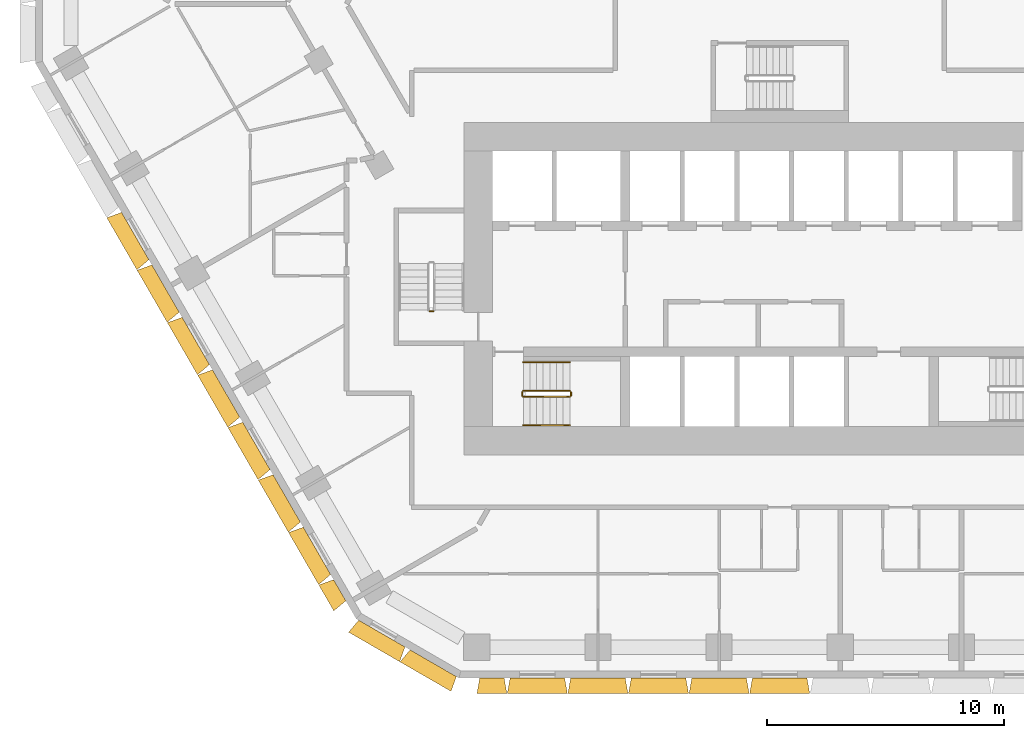
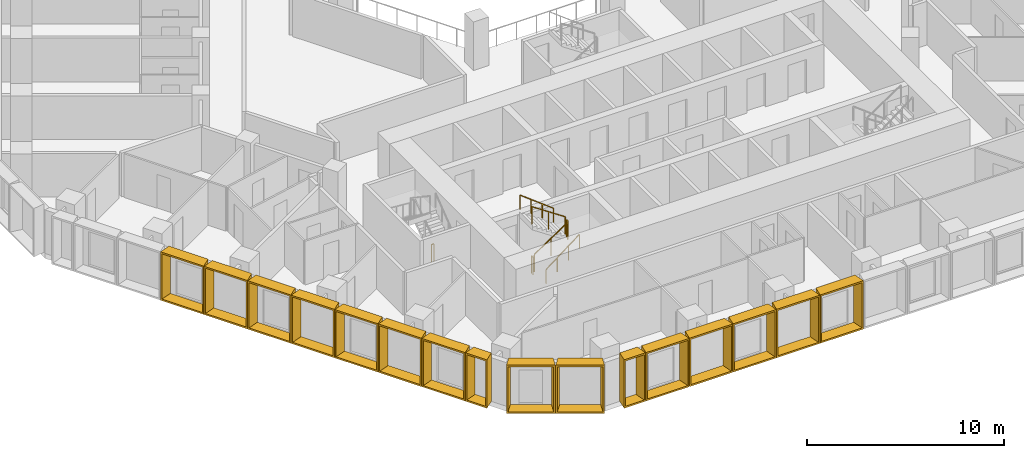
# One storey, part 13 of 16: 16 shading devices, 7 railings.
"""IFC4 building model written with IfcOpenShell, lengths in metres."""

from ifc_helpers import new_model, entity, si_unit, direction, frame, origin, origin_2d, place, context, subcontext, project, spatial, rectangle, extrude, source, transform, mapped, material, type_object, type_shapes, element, save


model = new_model("IFC4")

# Units and contexts
model_context = context("Model", 3, precision=1e-05, world=origin(), true_north=direction((0.0, 1.0)))
body_context = subcontext(model_context, "Body", "Model", "MODEL_VIEW")
ifc_project = project(units=[si_unit("LENGTHUNIT", "METRE"), si_unit("AREAUNIT", "SQUARE_METRE"), si_unit("VOLUMEUNIT", "CUBIC_METRE"), si_unit("PLANEANGLEUNIT", "RADIAN"), si_unit("MASSUNIT", "GRAM", prefix="KILO")], contexts=[model_context])

# Site, building, storey
site_placement = place(None, origin())
site = spatial("IfcSite", under=ifc_project, at=site_placement, CompositionType="ELEMENT")
building_placement = place(site_placement, origin())
building = spatial("IfcBuilding", under=site, at=building_placement, Name="Beryl Residences", CompositionType="ELEMENT")
storey_placement = place(building_placement, frame((0.0, 0.0, 38.39990234375)))
storey = spatial("IfcBuildingStorey", under=building, at=storey_placement, Name="L11", CompositionType="ELEMENT", Elevation=38.39990234375)

# Shading devices
ifc_material_1 = material(Name="Aluminium pale anodised", Category="aluminium")
shading_device_type_1 = type_object("IfcShadingDeviceType", Name="FR128-65A OUTER SKIN frame 650 mm deep, splay 10/10 deg, 1280 x 3000 mm cell", PredefinedType="USERDEFINED", material=ifc_material_1)
cartesian_point_1 = entity("IfcCartesianPoint", [-0.514892578125, 0.0])
cartesian_point_2 = entity("IfcCartesianPoint", [-0.433837890625, 0.10009765625])
cartesian_point_3 = entity("IfcCartesianPoint", [-0.629638671875, 0.0])
cartesian_point_4 = entity("IfcCartesianPoint", [-0.54833984375, 0.10009765625])
shared_shape_1 = source(origin(), body_context, "Body", "SweptSolid", [
    entity("IfcExtrudedAreaSolidTapered", entity("IfcArbitraryProfileDefWithVoids", "AREA", None, entity("IfcPolyline", [cartesian_point_1, entity("IfcCartesianPoint", [0.514892578125, 0.0]), entity("IfcCartesianPoint", [0.514892578125, 3.0]), entity("IfcCartesianPoint", [-0.514892578125, 3.0]), cartesian_point_1]), [entity("IfcPolyline", [cartesian_point_2, entity("IfcCartesianPoint", [0.433837890625, 0.10009765625]), entity("IfcCartesianPoint", [0.433837890625, 2.89990234375]), entity("IfcCartesianPoint", [-0.433837890625, 2.89990234375]), cartesian_point_2])]), entity("IfcAxis2Placement3D", entity("IfcCartesianPoint", [0.0, 0.0, 0.0]), entity("IfcDirection", [0.0, 1.0, 0.0]), entity("IfcDirection", [-1.0, 0.0, 0.0])), entity("IfcDirection", [0.0, 0.0, 1.0]), 0.64990234375, entity("IfcArbitraryProfileDefWithVoids", "AREA", None, entity("IfcPolyline", [cartesian_point_3, entity("IfcCartesianPoint", [0.629638671875, 0.0]), entity("IfcCartesianPoint", [0.629638671875, 3.0]), entity("IfcCartesianPoint", [-0.629638671875, 3.0]), cartesian_point_3]), [entity("IfcPolyline", [cartesian_point_4, entity("IfcCartesianPoint", [0.54833984375, 0.10009765625]), entity("IfcCartesianPoint", [0.54833984375, 2.89990234375]), entity("IfcCartesianPoint", [-0.54833984375, 2.89990234375]), cartesian_point_4])])),
])
type_shapes(shading_device_type_1, [shared_shape_1])
for number, where, z_axis, x_axis, name in (
    (1, (-18.533935546875, -24.698974609375, 0.0), (0.0, 0.0, 1.0), (-0.5, 0.866025403784, 0.0), "FR128-65A frame L11 SW 11"),
    (2, (-12.12109375, -28.39990234375, 0.0), (0.0, 0.0, 1.0), (-1.0, 0.0, 0.0), "FR128-65A frame L11 S 1"),
):
    element("IfcShadingDevice", number, at=place(storey_placement, frame(where, z_axis=z_axis, x_axis=x_axis)), inside=storey, type_object=shading_device_type_1, Name=name, ObjectType="OUTER SKIN", PredefinedType="USERDEFINED", context=body_context, shape_type="MappedRepresentation", body=[
        mapped(shared_shape_1, transform((0.0, 0.0, 0.0))),
    ])
ifc_material_2 = material(Name="Aluminium pale anodised", Category="aluminium")
shading_device_type_2 = type_object("IfcShadingDeviceType", Name="FR250-65A OUTER SKIN frame 650 mm deep, splay 10/10 deg, 2500 x 3000 mm cell", PredefinedType="USERDEFINED", material=ifc_material_2)
cartesian_point_5 = entity("IfcCartesianPoint", [-1.125, 0.0])
cartesian_point_6 = entity("IfcCartesianPoint", [-1.043701171875, 0.10009765625])
cartesian_point_7 = entity("IfcCartesianPoint", [-1.239501953125, 0.0])
cartesian_point_8 = entity("IfcCartesianPoint", [-1.158447265625, 0.10009765625])
shared_shape_2 = source(origin(), body_context, "Body", "SweptSolid", [
    entity("IfcExtrudedAreaSolidTapered", entity("IfcArbitraryProfileDefWithVoids", "AREA", None, entity("IfcPolyline", [cartesian_point_5, entity("IfcCartesianPoint", [1.125, 0.0]), entity("IfcCartesianPoint", [1.125, 3.0]), entity("IfcCartesianPoint", [-1.125, 3.0]), cartesian_point_5]), [entity("IfcPolyline", [cartesian_point_6, entity("IfcCartesianPoint", [1.043701171875, 0.10009765625]), entity("IfcCartesianPoint", [1.043701171875, 2.89990234375]), entity("IfcCartesianPoint", [-1.043701171875, 2.89990234375]), cartesian_point_6])]), entity("IfcAxis2Placement3D", entity("IfcCartesianPoint", [0.0, 0.0, 0.0]), entity("IfcDirection", [0.0, 1.0, 0.0]), entity("IfcDirection", [-1.0, 0.0, 0.0])), entity("IfcDirection", [0.0, 0.0, 1.0]), 0.64990234375, entity("IfcArbitraryProfileDefWithVoids", "AREA", None, entity("IfcPolyline", [cartesian_point_7, entity("IfcCartesianPoint", [1.239501953125, 0.0]), entity("IfcCartesianPoint", [1.239501953125, 3.0]), entity("IfcCartesianPoint", [-1.239501953125, 3.0]), cartesian_point_7]), [entity("IfcPolyline", [cartesian_point_8, entity("IfcCartesianPoint", [1.158447265625, 0.10009765625]), entity("IfcCartesianPoint", [1.158447265625, 2.89990234375]), entity("IfcCartesianPoint", [-1.158447265625, 2.89990234375]), cartesian_point_8])])),
])
type_shapes(shading_device_type_2, [shared_shape_2])
for number, where, z_axis, x_axis, name in (
    (3, (-16.758056640625, -26.52490234375, 0.0), (0.0, 0.0, 1.0), (-0.866025403784, 0.5, 0.0), "FR250-65A frame L11 SW-S 1"),
    (4, (-14.593017578125, -27.77490234375, 0.0), (0.0, 0.0, 1.0), (-0.866025403784, 0.5, 0.0), "FR250-65A frame L11 SW-S 2"),
):
    element("IfcShadingDevice", number, at=place(storey_placement, frame(where, z_axis=z_axis, x_axis=x_axis)), inside=storey, type_object=shading_device_type_2, Name=name, ObjectType="OUTER SKIN", PredefinedType="USERDEFINED", context=body_context, shape_type="MappedRepresentation", body=[
        mapped(shared_shape_2, transform((0.0, 0.0, 0.0))),
    ])
ifc_material_3 = material(Name="Aluminium pale anodised", Category="aluminium")
shading_device_type_3 = type_object("IfcShadingDeviceType", Name="FR255-65A OUTER SKIN frame 650 mm deep, splay 10/10 deg, 2550 x 3000 mm cell", PredefinedType="USERDEFINED", material=ifc_material_3)
cartesian_point_9 = entity("IfcCartesianPoint", [-1.14990234375, 0.0])
cartesian_point_10 = entity("IfcCartesianPoint", [-1.06884765625, 0.10009765625])
cartesian_point_11 = entity("IfcCartesianPoint", [-1.2646484375, 0.0])
cartesian_point_12 = entity("IfcCartesianPoint", [-1.183349609375, 0.10009765625])
shared_shape_3 = source(origin(), body_context, "Body", "SweptSolid", [
    entity("IfcExtrudedAreaSolidTapered", entity("IfcArbitraryProfileDefWithVoids", "AREA", None, entity("IfcPolyline", [cartesian_point_9, entity("IfcCartesianPoint", [1.14990234375, 0.0]), entity("IfcCartesianPoint", [1.14990234375, 3.0]), entity("IfcCartesianPoint", [-1.14990234375, 3.0]), cartesian_point_9]), [entity("IfcPolyline", [cartesian_point_10, entity("IfcCartesianPoint", [1.06884765625, 0.10009765625]), entity("IfcCartesianPoint", [1.06884765625, 2.89990234375]), entity("IfcCartesianPoint", [-1.06884765625, 2.89990234375]), cartesian_point_10])]), entity("IfcAxis2Placement3D", entity("IfcCartesianPoint", [0.0, 0.0, 0.0]), entity("IfcDirection", [0.0, 1.0, 0.0]), entity("IfcDirection", [-1.0, 0.0, 0.0])), entity("IfcDirection", [0.0, 0.0, 1.0]), 0.64990234375, entity("IfcArbitraryProfileDefWithVoids", "AREA", None, entity("IfcPolyline", [cartesian_point_11, entity("IfcCartesianPoint", [1.2646484375, 0.0]), entity("IfcCartesianPoint", [1.2646484375, 3.0]), entity("IfcCartesianPoint", [-1.2646484375, 3.0]), cartesian_point_11]), [entity("IfcPolyline", [cartesian_point_12, entity("IfcCartesianPoint", [1.183349609375, 0.10009765625]), entity("IfcCartesianPoint", [1.183349609375, 2.89990234375]), entity("IfcCartesianPoint", [-1.183349609375, 2.89990234375]), cartesian_point_12])])),
])
type_shapes(shading_device_type_3, [shared_shape_3])
for number, where, z_axis, x_axis, name in (
    (5, (-27.14599609375, -9.781005859375, 0.0), (0.0, 0.0, 1.0), (-0.5, 0.866025403784, 0.0), "FR255-65A frame L11 SW 4"),
    (6, (-25.8701171875, -11.990966796875, 0.0), (0.0, 0.0, 1.0), (-0.5, 0.866025403784, 0.0), "FR255-65A frame L11 SW 5"),
    (7, (-24.594970703125, -14.200927734375, 0.0), (0.0, 0.0, 1.0), (-0.5, 0.866025403784, 0.0), "FR255-65A frame L11 SW 6"),
    (8, (-23.319091796875, -16.410888671875, 0.0), (0.0, 0.0, 1.0), (-0.5, 0.866025403784, 0.0), "FR255-65A frame L11 SW 7"),
    (9, (-22.04296875, -18.62109375, 0.0), (0.0, 0.0, 1.0), (-0.5, 0.866025403784, 0.0), "FR255-65A frame L11 SW 8"),
    (10, (-20.76708984375, -20.8310546875, 0.0), (0.0, 0.0, 1.0), (-0.5, 0.866025403784, 0.0), "FR255-65A frame L11 SW 9"),
    (11, (-19.490966796875, -23.041015625, 0.0), (0.0, 0.0, 1.0), (-0.5, 0.866025403784, 0.0), "FR255-65A frame L11 SW 10"),
    (12, (-10.20703125, -28.39990234375, 0.0), (0.0, 0.0, 1.0), (-1.0, 0.0, 0.0), "FR255-65A frame L11 S 2"),
    (13, (-7.655029296875, -28.39990234375, 0.0), (0.0, 0.0, 1.0), (-1.0, 0.0, 0.0), "FR255-65A frame L11 S 3"),
    (14, (-5.10302734375, -28.39990234375, 0.0), (0.0, 0.0, 1.0), (-1.0, 0.0, 0.0), "FR255-65A frame L11 S 4"),
    (15, (-2.551025390625, -28.39990234375, 0.0), (0.0, 0.0, 1.0), (-1.0, 0.0, 0.0), "FR255-65A frame L11 S 5"),
    (16, (0.0009765625, -28.39990234375, 0.0), (0.0, 0.0, 1.0), (-1.0, 0.0, 0.0), "FR255-65A frame L11 S 6"),
):
    element("IfcShadingDevice", number, at=place(storey_placement, frame(where, z_axis=z_axis, x_axis=x_axis)), inside=storey, type_object=shading_device_type_3, Name=name, ObjectType="OUTER SKIN", PredefinedType="USERDEFINED", context=body_context, shape_type="MappedRepresentation", body=[
        mapped(shared_shape_3, transform((0.0, 0.0, 0.0))),
    ])

# Railings
ifc_material_4 = material(Name="Stainless steel balustrade with glass infill", Category="steel")
railing_type_1 = type_object("IfcRailingType", Name="SG1 stair guard 1100 mm", PredefinedType="GUARDRAIL", material=ifc_material_4)
railing_1_placement = place(storey_placement, frame((-10.800048828125, -16.550048828125, 0.1875)))
element("IfcRailing", 17, at=railing_1_placement, inside=storey, type_object=railing_type_1, Name="L11 ST-1 stair guard 1", PredefinedType="GUARDRAIL", context=body_context, shape_type="SweptSolid", body=[
    extrude(rectangle(XDim=0.048095703125, YDim=0.048095703125, at=origin_2d()), frame((0.0, 0.0, 1.076171875), z_axis=(0.830902050051, 0.0, 0.556418712142), x_axis=(0.0, 1.0, 0.0)), (0.0, 0.0, 1.0), 2.35888671875),
    extrude(rectangle(XDim=0.0419921875, YDim=0.0419921875, at=origin_2d()), origin(), (0.0, 0.0, 1.0), 1.052001953125),
    extrude(rectangle(XDim=0.0419921875, YDim=0.0419921875, at=origin_2d()), frame((0.97998046875, 0.0, 0.65625)), (0.0, 0.0, 1.0), 1.052001953125),
    extrude(rectangle(XDim=0.0419921875, YDim=0.0419921875, at=origin_2d()), frame((1.9599609375, 0.0, 1.3125)), (0.0, 0.0, 1.0), 1.052001953125),
])
railing_2_placement = place(storey_placement, frame((-8.7900390625, -16.5, 1.5)))
element("IfcRailing", 18, at=railing_2_placement, inside=storey, type_object=railing_type_1, Name="L11 ST-1 stair guard 2", PredefinedType="GUARDRAIL", context=body_context, shape_type="SweptSolid", body=[
    extrude(rectangle(XDim=0.048095703125, YDim=0.048095703125, at=origin_2d()), frame((0.0, 0.0, 1.076171875), z_axis=(0.0, 1.0, 0.0), x_axis=(-1.0, 0.0, 0.0)), (0.0, 0.0, 1.0), 0.14990234375),
    extrude(rectangle(XDim=0.0419921875, YDim=0.0419921875, at=origin_2d()), origin(), (0.0, 0.0, 1.0), 1.052001953125),
    extrude(rectangle(XDim=0.0419921875, YDim=0.0419921875, at=origin_2d()), frame((0.0, 0.14990234375, 0.0)), (0.0, 0.0, 1.0), 1.052001953125),
])
railing_3_placement = place(storey_placement, frame((-8.840087890625, -16.300048828125, 1.6875)))
element("IfcRailing", 19, at=railing_3_placement, inside=storey, type_object=railing_type_1, Name="L11 ST-1 stair guard 3", PredefinedType="GUARDRAIL", context=body_context, shape_type="SweptSolid", body=[
    extrude(rectangle(XDim=0.048095703125, YDim=0.048095703125, at=origin_2d()), frame((0.0, 0.0, 1.076171875), z_axis=(-0.830902050051, 0.0, 0.556418712142), x_axis=(0.0, -1.0, 0.0)), (0.0, 0.0, 1.0), 2.35888671875),
    extrude(rectangle(XDim=0.0419921875, YDim=0.0419921875, at=origin_2d()), origin(), (0.0, 0.0, 1.0), 1.052001953125),
    extrude(rectangle(XDim=0.0419921875, YDim=0.0419921875, at=origin_2d()), frame((-0.97998046875, 0.0, 0.65625)), (0.0, 0.0, 1.0), 1.052001953125),
    extrude(rectangle(XDim=0.0419921875, YDim=0.0419921875, at=origin_2d()), frame((-1.9599609375, 0.0, 1.3125)), (0.0, 0.0, 1.0), 1.052001953125),
])
railing_4_placement = place(storey_placement, frame((-10.85009765625, -16.5, 0.0)))
element("IfcRailing", 20, at=railing_4_placement, inside=storey, type_object=railing_type_1, Name="L11 ST-1 stair guard 4", PredefinedType="GUARDRAIL", context=body_context, shape_type="SweptSolid", body=[
    extrude(rectangle(XDim=0.048095703125, YDim=0.048095703125, at=origin_2d()), frame((0.0, 0.0, 1.076171875), z_axis=(0.0, 1.0, 0.0), x_axis=(-1.0, 0.0, 0.0)), (0.0, 0.0, 1.0), 0.14990234375),
    extrude(rectangle(XDim=0.0419921875, YDim=0.0419921875, at=origin_2d()), origin(), (0.0, 0.0, 1.0), 1.052001953125),
    extrude(rectangle(XDim=0.0419921875, YDim=0.0419921875, at=origin_2d()), frame((0.0, 0.14990234375, 0.0)), (0.0, 0.0, 1.0), 1.052001953125),
])
railing_5_placement = place(storey_placement, frame((-14.60009765625, -12.949951171875, 0.0)))
element("IfcRailing", 21, at=railing_5_placement, inside=storey, type_object=railing_type_1, Name="L11 ST-2 stair guard 4", PredefinedType="GUARDRAIL", context=body_context, shape_type="SweptSolid", body=[
    extrude(rectangle(XDim=0.048095703125, YDim=0.048095703125, at=origin_2d()), frame((0.0, 0.0, 1.076171875), z_axis=(-1.0, 0.0, 0.0), x_axis=(0.0, -1.0, 0.0)), (0.0, 0.0, 1.0), 0.14990234375),
    extrude(rectangle(XDim=0.0419921875, YDim=0.0419921875, at=origin_2d()), origin(), (0.0, 0.0, 1.0), 1.052001953125),
    extrude(rectangle(XDim=0.0419921875, YDim=0.0419921875, at=origin_2d()), frame((-0.14990234375, 0.0, 0.0)), (0.0, 0.0, 1.0), 1.052001953125),
])
ifc_material_5 = material(Name="Stainless steel handrail", Category="steel")
railing_type_2 = type_object("IfcRailingType", Name="SRL1 stair handrail 900 mm", PredefinedType="HANDRAIL", material=ifc_material_5)
railing_6_placement = place(storey_placement, frame((-10.800048828125, -17.75, 0.1875)))
element("IfcRailing", 22, at=railing_6_placement, inside=storey, type_object=railing_type_2, Name="L11 ST-1 stair handrail 1", PredefinedType="HANDRAIL", context=body_context, shape_type="SweptSolid", body=[
    extrude(rectangle(XDim=0.048095703125, YDim=0.048095703125, at=origin_2d()), frame((0.0, 0.0, 0.8759765625), z_axis=(0.794121922505, 0.0, 0.607758481798), x_axis=(0.0, 1.0, 0.0)), (0.0, 0.0, 1.0), 2.468017578125),
    extrude(rectangle(XDim=0.0419921875, YDim=0.0419921875, at=origin_2d()), origin(), (0.0, 0.0, 1.0), 0.851806640625),
    extrude(rectangle(XDim=0.0419921875, YDim=0.0419921875, at=origin_2d()), frame((0.6533203125, 0.0, 0.5)), (0.0, 0.0, 1.0), 0.851806640625),
    extrude(rectangle(XDim=0.0419921875, YDim=0.0419921875, at=origin_2d()), frame((1.306640625, 0.0, 1.0)), (0.0, 0.0, 1.0), 0.851806640625),
    extrude(rectangle(XDim=0.0419921875, YDim=0.0419921875, at=origin_2d()), frame((1.9599609375, 0.0, 1.5)), (0.0, 0.0, 1.0), 0.851806640625),
])
railing_7_placement = place(storey_placement, frame((-8.840087890625, -15.10009765625, 1.6875)))
element("IfcRailing", 23, at=railing_7_placement, inside=storey, type_object=railing_type_2, Name="L11 ST-1 stair handrail 2", PredefinedType="HANDRAIL", context=body_context, shape_type="SweptSolid", body=[
    extrude(rectangle(XDim=0.048095703125, YDim=0.048095703125, at=origin_2d()), frame((0.0, 0.0, 0.8759765625), z_axis=(-0.794121922505, 0.0, 0.607758481798), x_axis=(0.0, -1.0, 0.0)), (0.0, 0.0, 1.0), 2.468017578125),
    extrude(rectangle(XDim=0.0419921875, YDim=0.0419921875, at=origin_2d()), origin(), (0.0, 0.0, 1.0), 0.851806640625),
    extrude(rectangle(XDim=0.0419921875, YDim=0.0419921875, at=origin_2d()), frame((-0.6533203125, 0.0, 0.5)), (0.0, 0.0, 1.0), 0.851806640625),
    extrude(rectangle(XDim=0.0419921875, YDim=0.0419921875, at=origin_2d()), frame((-1.306640625, 0.0, 1.0)), (0.0, 0.0, 1.0), 0.851806640625),
    extrude(rectangle(XDim=0.0419921875, YDim=0.0419921875, at=origin_2d()), frame((-1.9599609375, 0.0, 1.5)), (0.0, 0.0, 1.0), 0.851806640625),
])

save(model, "model.ifc")
